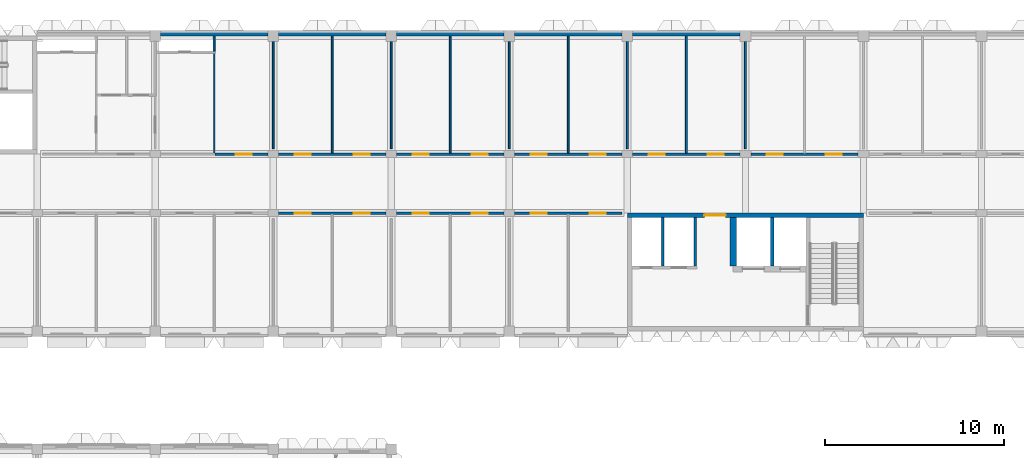
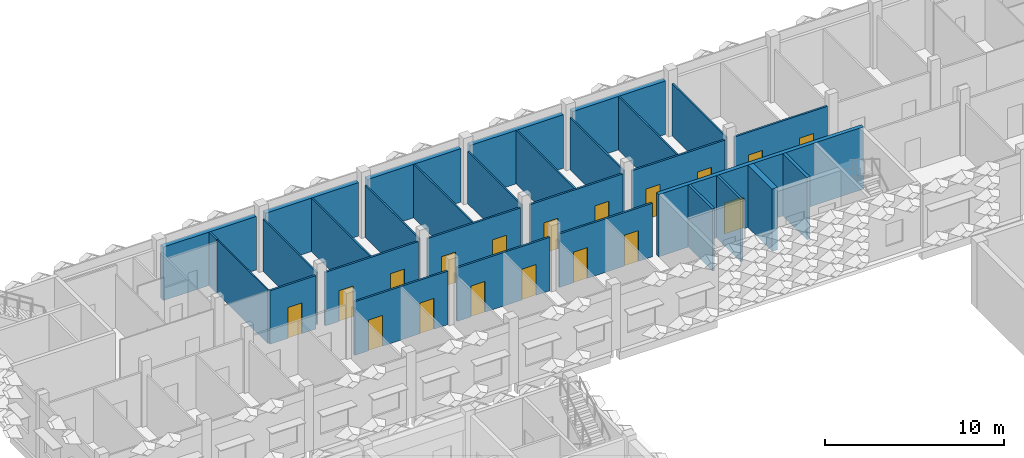
# One storey, part 37 of 87: 30 walls, 18 doors, 18 openings.
"""IFC4 building model written with IfcOpenShell, lengths in metres."""

from ifc_helpers import new_model, si_unit, direction, frame, frame_2d, origin, place, context, subcontext, project, spatial, rectangle, extrude, material, layer, layer_set, type_object, element, fill, save


model = new_model("IFC4")

# Units and contexts
model_context = context("Model", 3, precision=1e-05, world=origin(), true_north=direction((0.0, 1.0)))
body_context = subcontext(model_context, "Body", "Model", "MODEL_VIEW")
ifc_project = project(units=[si_unit("LENGTHUNIT", "METRE"), si_unit("AREAUNIT", "SQUARE_METRE"), si_unit("VOLUMEUNIT", "CUBIC_METRE"), si_unit("PLANEANGLEUNIT", "RADIAN"), si_unit("MASSUNIT", "GRAM", prefix="KILO")], contexts=[model_context])

# Site, building, storey
site_placement = place(None, origin())
site = spatial("IfcSite", under=ifc_project, at=site_placement, CompositionType="ELEMENT")
building_placement = place(site_placement, origin())
building = spatial("IfcBuilding", under=site, at=building_placement, Name="Lantern Court Research Institute", CompositionType="ELEMENT")
storey_placement = place(building_placement, frame((0.0, 0.0, 5.39990234375)))
storey = spatial("IfcBuildingStorey", under=building, at=storey_placement, Name="L01", CompositionType="ELEMENT", Elevation=5.39990234375)

# Walls
ifc_material_1 = material(Name="Gypsum board on metal studs")
ifc_layer_1 = layer(ifc_material_1, 0.10009765625)
ifc_layer_set_1 = layer_set([ifc_layer_1], Name="Gypsum board on metal studs")
wall_type_1 = type_object("IfcWallType", Name="Partition 100 mm", PredefinedType="PARTITIONING", material=ifc_layer_set_1)
wall_1_placement = place(storey_placement, frame((19.800048828125, 92.699951171875, 0.0), z_axis=(0.0, 0.0, 1.0), x_axis=(0.0, 1.0, 0.0)))
element("IfcWall", 1, at=wall_1_placement, inside=storey, type_object=wall_type_1, Name="Wall V6-L01-044", PredefinedType="PARTITIONING", context=body_context, shape_type="SweptSolid", body=[
    extrude(rectangle(XDim=6.0, YDim=0.10009765625, at=frame_2d((3.0, 0.0))), origin(), (0.0, 0.0, 1.0), 3.550048828125),
])
wall_2_placement = place(storey_placement, frame((23.10009765625, 92.462890625, 0.0), z_axis=(0.0, 0.0, 1.0), x_axis=(0.0, 1.0, 0.0)))
element("IfcWall", 2, at=wall_2_placement, inside=storey, type_object=wall_type_1, Name="Wall V6-L01-046", PredefinedType="PARTITIONING", context=body_context, shape_type="SweptSolid", body=[
    extrude(rectangle(XDim=6.537109375, YDim=0.10009765625, at=frame_2d((3.2685546875, 0.0))), origin(), (0.0, 0.0, 1.0), 3.650146484375),
])
wall_3_placement = place(storey_placement, frame((26.39990234375, 92.699951171875, 0.0), z_axis=(0.0, 0.0, 1.0), x_axis=(0.0, 1.0, 0.0)))
element("IfcWall", 3, at=wall_3_placement, inside=storey, type_object=wall_type_1, Name="Wall V6-L01-048", PredefinedType="PARTITIONING", context=body_context, shape_type="SweptSolid", body=[
    extrude(rectangle(XDim=6.0, YDim=0.10009765625, at=frame_2d((3.0, 0.0))), origin(), (0.0, 0.0, 1.0), 3.550048828125),
])
wall_4_placement = place(storey_placement, frame((29.699951171875, 92.462890625, 0.0), z_axis=(0.0, 0.0, 1.0), x_axis=(0.0, 1.0, 0.0)))
element("IfcWall", 4, at=wall_4_placement, inside=storey, type_object=wall_type_1, Name="Wall V6-L01-050", PredefinedType="PARTITIONING", context=body_context, shape_type="SweptSolid", body=[
    extrude(rectangle(XDim=6.537109375, YDim=0.10009765625, at=frame_2d((3.2685546875, 0.0))), origin(), (0.0, 0.0, 1.0), 3.650146484375),
])
wall_5_placement = place(storey_placement, frame((33.0, 92.699951171875, 0.0), z_axis=(0.0, 0.0, 1.0), x_axis=(0.0, 1.0, 0.0)))
element("IfcWall", 5, at=wall_5_placement, inside=storey, type_object=wall_type_1, Name="Wall V6-L01-052", PredefinedType="PARTITIONING", context=body_context, shape_type="SweptSolid", body=[
    extrude(rectangle(XDim=6.0, YDim=0.10009765625, at=frame_2d((3.0, 0.0))), origin(), (0.0, 0.0, 1.0), 3.550048828125),
])
wall_6_placement = place(storey_placement, frame((36.300048828125, 92.462890625, 0.0), z_axis=(0.0, 0.0, 1.0), x_axis=(0.0, 1.0, 0.0)))
element("IfcWall", 6, at=wall_6_placement, inside=storey, type_object=wall_type_1, Name="Wall V6-L01-054", PredefinedType="PARTITIONING", context=body_context, shape_type="SweptSolid", body=[
    extrude(rectangle(XDim=6.537109375, YDim=0.10009765625, at=frame_2d((3.2685546875, 0.0))), origin(), (0.0, 0.0, 1.0), 3.650146484375),
])
wall_7_placement = place(storey_placement, frame((39.60009765625, 92.699951171875, 0.0), z_axis=(0.0, 0.0, 1.0), x_axis=(0.0, 1.0, 0.0)))
element("IfcWall", 7, at=wall_7_placement, inside=storey, type_object=wall_type_1, Name="Wall V6-L01-055", PredefinedType="PARTITIONING", context=body_context, shape_type="SweptSolid", body=[
    extrude(rectangle(XDim=6.0, YDim=0.10009765625, at=frame_2d((3.0, 0.0))), origin(), (0.0, 0.0, 1.0), 3.550048828125),
])
wall_8_placement = place(storey_placement, frame((42.89990234375, 92.462890625, 0.0), z_axis=(0.0, 0.0, 1.0), x_axis=(0.0, 1.0, 0.0)))
element("IfcWall", 8, at=wall_8_placement, inside=storey, type_object=wall_type_1, Name="Wall V6-L01-056", PredefinedType="PARTITIONING", context=body_context, shape_type="SweptSolid", body=[
    extrude(rectangle(XDim=6.537109375, YDim=0.10009765625, at=frame_2d((3.2685546875, 0.0))), origin(), (0.0, 0.0, 1.0), 3.650146484375),
])
wall_9_placement = place(storey_placement, frame((46.199951171875, 92.699951171875, 0.0), z_axis=(0.0, 0.0, 1.0), x_axis=(0.0, 1.0, 0.0)))
element("IfcWall", 9, at=wall_9_placement, inside=storey, type_object=wall_type_1, Name="Wall V6-L01-057", PredefinedType="PARTITIONING", context=body_context, shape_type="SweptSolid", body=[
    extrude(rectangle(XDim=6.0, YDim=0.10009765625, at=frame_2d((3.0, 0.0))), origin(), (0.0, 0.0, 1.0), 3.550048828125),
])
ifc_material_2 = material(Name="Concrete C30/37", Category="concrete")
ifc_layer_2 = layer(ifc_material_2, 0.300048828125)
ifc_layer_set_2 = layer_set([ifc_layer_2], Name="Concrete C30/37")
wall_type_2 = type_object("IfcWallType", Name="Party wall 300 concrete EI 120", PredefinedType="STANDARD", material=ifc_layer_set_2)
for number, where, z_axis, x_axis, name in (
    (10, (13.5, 99.14990234375, 0.0), (0.0, 0.0, 1.0), (1.0, 0.0, 0.0), "Exterior wall EW110"),
    (11, (20.10009765625, 99.14990234375, 0.0), (0.0, 0.0, 1.0), (1.0, 0.0, 0.0), "Exterior wall EW111"),
    (12, (26.699951171875, 99.14990234375, 0.0), (0.0, 0.0, 1.0), (1.0, 0.0, 0.0), "Exterior wall EW112"),
    (13, (33.300048828125, 99.14990234375, 0.0), (0.0, 0.0, 1.0), (1.0, 0.0, 0.0), "Exterior wall EW113"),
    (14, (39.89990234375, 99.14990234375, 0.0), (0.0, 0.0, 1.0), (1.0, 0.0, 0.0), "Exterior wall EW114"),
):
    element("IfcWall", number, at=place(storey_placement, frame(where, z_axis=z_axis, x_axis=x_axis)), inside=storey, type_object=wall_type_2, Name=name, PredefinedType="STANDARD", context=body_context, shape_type="SweptSolid", body=[
        extrude(rectangle(XDim=6.0, YDim=0.300048828125, at=frame_2d((3.0, 0.0))), origin(), (0.0, 0.0, 1.0), 3.650146484375),
    ])

# Wall, openings, doors
ifc_material_3 = material(Name="Gypsum board on metal studs")
ifc_layer_3 = layer(ifc_material_3, 0.125)
ifc_layer_set_3 = layer_set([ifc_layer_3], Name="Gypsum board on metal studs")
wall_type_3 = type_object("IfcWallType", Name="Protected corridor partition 125 mm EI 30", PredefinedType="PARTITIONING", material=ifc_layer_set_3)
wall_10_placement = place(storey_placement, frame((26.10009765625, 89.10009765625, 0.0), z_axis=(0.0, 0.0, 1.0), x_axis=(-1.0, 0.0, 0.0)))
wall_10 = element("IfcWall", 15, at=wall_10_placement, inside=storey, type_object=wall_type_3, Name="Wall V6-L01-004", PredefinedType="PARTITIONING", context=body_context, shape_type="SweptSolid", body=[
    extrude(rectangle(XDim=6.0, YDim=0.125, at=frame_2d((3.0, 0.0))), origin(), (0.0, 0.0, 1.0), 3.650146484375),
])
opening_1_placement = place(wall_10_placement, frame((4.199951171875, 0.0, 0.0)))
opening_1 = element("IfcOpeningElement", 16, at=opening_1_placement, cuts=wall_10, Name="Opening D6107", PredefinedType="OPENING", context=body_context, shape_type="SweptSolid", body=[
    extrude(rectangle(XDim=0.89990234375, YDim=2.10009765625, at=frame_2d((0.449951171875, 1.050048828125))), frame((0.0, 0.072509765625, 0.0), z_axis=(0.0, -1.0, 0.0), x_axis=(1.0, 0.0, 0.0)), (0.0, 0.0, 1.0), 0.14501953125),
])
opening_2_placement = place(wall_10_placement, frame((0.89990234375, 0.0, 0.0)))
opening_2 = element("IfcOpeningElement", 17, at=opening_2_placement, cuts=wall_10, Name="Opening D6108", PredefinedType="OPENING", context=body_context, shape_type="SweptSolid", body=[
    extrude(rectangle(XDim=0.89990234375, YDim=2.10009765625, at=frame_2d((0.449951171875, 1.050048828125))), frame((0.0, 0.072509765625, 0.0), z_axis=(0.0, -1.0, 0.0), x_axis=(1.0, 0.0, 0.0)), (0.0, 0.0, 1.0), 0.14501953125),
])
ifc_material_4 = material(Name="Timber veneered door leaf", Category="wood")
door_type_1 = type_object("IfcDoorType", Name="Door 900 x 2100 timber FD30S", OperationType="NOTDEFINED", PredefinedType="DOOR", material=ifc_material_4)
door_1_placement = place(opening_1_placement, origin())
door_1 = element("IfcDoor", 18, at=door_1_placement, inside=storey, type_object=door_type_1, Name="Door D6107", OperationType="SINGLE_SWING_RIGHT", OverallHeight=2.10009765625, OverallWidth=0.89990234375, PredefinedType="DOOR", context=body_context, shape_type="SweptSolid", body=[
    extrude(rectangle(XDim=0.89990234375, YDim=2.10009765625, at=frame_2d((0.449951171875, 1.050048828125))), frame((0.0, 0.02490234375, 0.0), z_axis=(0.0, -1.0, 0.0), x_axis=(1.0, 0.0, 0.0)), (0.0, 0.0, 1.0), 0.050048828125),
])
fill(opening_1, door_1)
door_2_placement = place(opening_2_placement, origin())
door_2 = element("IfcDoor", 19, at=door_2_placement, inside=storey, type_object=door_type_1, Name="Door D6108", OperationType="SINGLE_SWING_RIGHT", OverallHeight=2.10009765625, OverallWidth=0.89990234375, PredefinedType="DOOR", context=body_context, shape_type="SweptSolid", body=[
    extrude(rectangle(XDim=0.89990234375, YDim=2.10009765625, at=frame_2d((0.449951171875, 1.050048828125))), frame((0.0, 0.02490234375, 0.0), z_axis=(0.0, -1.0, 0.0), x_axis=(1.0, 0.0, 0.0)), (0.0, 0.0, 1.0), 0.050048828125),
])
fill(opening_2, door_2)

wall_11_placement = place(storey_placement, frame((32.699951171875, 89.10009765625, 0.0), z_axis=(0.0, 0.0, 1.0), x_axis=(-1.0, 0.0, 0.0)))
wall_11 = element("IfcWall", 20, at=wall_11_placement, inside=storey, type_object=wall_type_3, Name="Wall V6-L01-005", PredefinedType="PARTITIONING", context=body_context, shape_type="SweptSolid", body=[
    extrude(rectangle(XDim=6.0, YDim=0.125, at=frame_2d((3.0, 0.0))), origin(), (0.0, 0.0, 1.0), 3.650146484375),
])
opening_3_placement = place(wall_11_placement, frame((4.199951171875, 0.0, 0.0)))
opening_3 = element("IfcOpeningElement", 21, at=opening_3_placement, cuts=wall_11, Name="Opening D6109", PredefinedType="OPENING", context=body_context, shape_type="SweptSolid", body=[
    extrude(rectangle(XDim=0.89990234375, YDim=2.10009765625, at=frame_2d((0.449951171875, 1.050048828125))), frame((0.0, 0.072509765625, 0.0), z_axis=(0.0, -1.0, 0.0), x_axis=(1.0, 0.0, 0.0)), (0.0, 0.0, 1.0), 0.14501953125),
])
opening_4_placement = place(wall_11_placement, frame((0.89990234375, 0.0, 0.0)))
opening_4 = element("IfcOpeningElement", 22, at=opening_4_placement, cuts=wall_11, Name="Opening D6110", PredefinedType="OPENING", context=body_context, shape_type="SweptSolid", body=[
    extrude(rectangle(XDim=0.89990234375, YDim=2.10009765625, at=frame_2d((0.449951171875, 1.050048828125))), frame((0.0, 0.072509765625, 0.0), z_axis=(0.0, -1.0, 0.0), x_axis=(1.0, 0.0, 0.0)), (0.0, 0.0, 1.0), 0.14501953125),
])
door_3_placement = place(opening_3_placement, origin())
door_3 = element("IfcDoor", 23, at=door_3_placement, inside=storey, type_object=door_type_1, Name="Door D6109", OperationType="SINGLE_SWING_LEFT", OverallHeight=2.10009765625, OverallWidth=0.89990234375, PredefinedType="DOOR", context=body_context, shape_type="SweptSolid", body=[
    extrude(rectangle(XDim=0.89990234375, YDim=2.10009765625, at=frame_2d((0.449951171875, 1.050048828125))), frame((0.0, 0.02490234375, 0.0), z_axis=(0.0, -1.0, 0.0), x_axis=(1.0, 0.0, 0.0)), (0.0, 0.0, 1.0), 0.050048828125),
])
fill(opening_3, door_3)
door_4_placement = place(opening_4_placement, origin())
door_4 = element("IfcDoor", 24, at=door_4_placement, inside=storey, type_object=door_type_1, Name="Door D6110", OperationType="SINGLE_SWING_LEFT", OverallHeight=2.10009765625, OverallWidth=0.89990234375, PredefinedType="DOOR", context=body_context, shape_type="SweptSolid", body=[
    extrude(rectangle(XDim=0.89990234375, YDim=2.10009765625, at=frame_2d((0.449951171875, 1.050048828125))), frame((0.0, 0.02490234375, 0.0), z_axis=(0.0, -1.0, 0.0), x_axis=(1.0, 0.0, 0.0)), (0.0, 0.0, 1.0), 0.050048828125),
])
fill(opening_4, door_4)

wall_12_placement = place(storey_placement, frame((39.300048828125, 89.10009765625, 0.0), z_axis=(0.0, 0.0, 1.0), x_axis=(-1.0, 0.0, 0.0)))
wall_12 = element("IfcWall", 25, at=wall_12_placement, inside=storey, type_object=wall_type_3, Name="Wall V6-L01-006", PredefinedType="PARTITIONING", context=body_context, shape_type="SweptSolid", body=[
    extrude(rectangle(XDim=6.0, YDim=0.125, at=frame_2d((3.0, 0.0))), origin(), (0.0, 0.0, 1.0), 3.650146484375),
])
opening_5_placement = place(wall_12_placement, frame((4.199951171875, 0.0, 0.0)))
opening_5 = element("IfcOpeningElement", 26, at=opening_5_placement, cuts=wall_12, Name="Opening D6111", PredefinedType="OPENING", context=body_context, shape_type="SweptSolid", body=[
    extrude(rectangle(XDim=0.89990234375, YDim=2.10009765625, at=frame_2d((0.449951171875, 1.050048828125))), frame((0.0, 0.072509765625, 0.0), z_axis=(0.0, -1.0, 0.0), x_axis=(1.0, 0.0, 0.0)), (0.0, 0.0, 1.0), 0.14501953125),
])
opening_6_placement = place(wall_12_placement, frame((0.89990234375, 0.0, 0.0)))
opening_6 = element("IfcOpeningElement", 27, at=opening_6_placement, cuts=wall_12, Name="Opening D6112", PredefinedType="OPENING", context=body_context, shape_type="SweptSolid", body=[
    extrude(rectangle(XDim=0.89990234375, YDim=2.10009765625, at=frame_2d((0.449951171875, 1.050048828125))), frame((0.0, 0.072509765625, 0.0), z_axis=(0.0, -1.0, 0.0), x_axis=(1.0, 0.0, 0.0)), (0.0, 0.0, 1.0), 0.14501953125),
])
door_5_placement = place(opening_5_placement, origin())
door_5 = element("IfcDoor", 28, at=door_5_placement, inside=storey, type_object=door_type_1, Name="Door D6111", OperationType="SINGLE_SWING_RIGHT", OverallHeight=2.10009765625, OverallWidth=0.89990234375, PredefinedType="DOOR", context=body_context, shape_type="SweptSolid", body=[
    extrude(rectangle(XDim=0.89990234375, YDim=2.10009765625, at=frame_2d((0.449951171875, 1.050048828125))), frame((0.0, 0.02490234375, 0.0), z_axis=(0.0, -1.0, 0.0), x_axis=(1.0, 0.0, 0.0)), (0.0, 0.0, 1.0), 0.050048828125),
])
fill(opening_5, door_5)
door_6_placement = place(opening_6_placement, origin())
door_6 = element("IfcDoor", 29, at=door_6_placement, inside=storey, type_object=door_type_1, Name="Door D6112", OperationType="SINGLE_SWING_LEFT", OverallHeight=2.10009765625, OverallWidth=0.89990234375, PredefinedType="DOOR", context=body_context, shape_type="SweptSolid", body=[
    extrude(rectangle(XDim=0.89990234375, YDim=2.10009765625, at=frame_2d((0.449951171875, 1.050048828125))), frame((0.0, 0.02490234375, 0.0), z_axis=(0.0, -1.0, 0.0), x_axis=(1.0, 0.0, 0.0)), (0.0, 0.0, 1.0), 0.050048828125),
])
fill(opening_6, door_6)

# Wall, opening, door
wall_13_placement = place(storey_placement, frame((16.5380859375, 92.39990234375, 0.0), z_axis=(0.0, 0.0, 1.0), x_axis=(1.0, 0.0, 0.0)))
wall_13 = element("IfcWall", 30, at=wall_13_placement, inside=storey, type_object=wall_type_3, Name="Wall V6-L01-013", PredefinedType="PARTITIONING", context=body_context, shape_type="SweptSolid", body=[
    extrude(rectangle(XDim=2.9619140625, YDim=0.125, at=frame_2d((1.48095703125, 0.0))), origin(), (0.0, 0.0, 1.0), 3.650146484375),
])
opening_7_placement = place(wall_13_placement, frame((1.162109375, 0.0, 0.0)))
opening_7 = element("IfcOpeningElement", 31, at=opening_7_placement, cuts=wall_13, Name="Opening D6119", PredefinedType="OPENING", context=body_context, shape_type="SweptSolid", body=[
    extrude(rectangle(XDim=0.89990234375, YDim=2.10009765625, at=frame_2d((0.449951171875, 1.050048828125))), frame((0.0, 0.072509765625, 0.0), z_axis=(0.0, -1.0, 0.0), x_axis=(1.0, 0.0, 0.0)), (0.0, 0.0, 1.0), 0.14501953125),
])
door_7_placement = place(opening_7_placement, origin())
door_7 = element("IfcDoor", 32, at=door_7_placement, inside=storey, type_object=door_type_1, Name="Door D6119", OperationType="SINGLE_SWING_LEFT", OverallHeight=2.10009765625, OverallWidth=0.89990234375, PredefinedType="DOOR", context=body_context, shape_type="SweptSolid", body=[
    extrude(rectangle(XDim=0.89990234375, YDim=2.10009765625, at=frame_2d((0.449951171875, 1.050048828125))), frame((0.0, 0.02490234375, 0.0), z_axis=(0.0, -1.0, 0.0), x_axis=(1.0, 0.0, 0.0)), (0.0, 0.0, 1.0), 0.050048828125),
])
fill(opening_7, door_7)

# Wall, openings, doors
wall_14_placement = place(storey_placement, frame((20.10009765625, 92.39990234375, 0.0), z_axis=(0.0, 0.0, 1.0), x_axis=(1.0, 0.0, 0.0)))
wall_14 = element("IfcWall", 33, at=wall_14_placement, inside=storey, type_object=wall_type_3, Name="Wall V6-L01-014", PredefinedType="PARTITIONING", context=body_context, shape_type="SweptSolid", body=[
    extrude(rectangle(XDim=6.0, YDim=0.125, at=frame_2d((3.0, 0.0))), origin(), (0.0, 0.0, 1.0), 3.650146484375),
])
opening_8_placement = place(wall_14_placement, frame((0.89990234375, 0.0, 0.0)))
opening_8 = element("IfcOpeningElement", 34, at=opening_8_placement, cuts=wall_14, Name="Opening D6120", PredefinedType="OPENING", context=body_context, shape_type="SweptSolid", body=[
    extrude(rectangle(XDim=0.89990234375, YDim=2.10009765625, at=frame_2d((0.449951171875, 1.050048828125))), frame((0.0, 0.072509765625, 0.0), z_axis=(0.0, -1.0, 0.0), x_axis=(1.0, 0.0, 0.0)), (0.0, 0.0, 1.0), 0.14501953125),
])
opening_9_placement = place(wall_14_placement, frame((4.199951171875, 0.0, 0.0)))
opening_9 = element("IfcOpeningElement", 35, at=opening_9_placement, cuts=wall_14, Name="Opening D6121", PredefinedType="OPENING", context=body_context, shape_type="SweptSolid", body=[
    extrude(rectangle(XDim=0.89990234375, YDim=2.10009765625, at=frame_2d((0.449951171875, 1.050048828125))), frame((0.0, 0.072509765625, 0.0), z_axis=(0.0, -1.0, 0.0), x_axis=(1.0, 0.0, 0.0)), (0.0, 0.0, 1.0), 0.14501953125),
])
door_8_placement = place(opening_8_placement, origin())
door_8 = element("IfcDoor", 36, at=door_8_placement, inside=storey, type_object=door_type_1, Name="Door D6120", OperationType="SINGLE_SWING_LEFT", OverallHeight=2.10009765625, OverallWidth=0.89990234375, PredefinedType="DOOR", context=body_context, shape_type="SweptSolid", body=[
    extrude(rectangle(XDim=0.89990234375, YDim=2.10009765625, at=frame_2d((0.449951171875, 1.050048828125))), frame((0.0, 0.02490234375, 0.0), z_axis=(0.0, -1.0, 0.0), x_axis=(1.0, 0.0, 0.0)), (0.0, 0.0, 1.0), 0.050048828125),
])
fill(opening_8, door_8)
door_9_placement = place(opening_9_placement, origin())
door_9 = element("IfcDoor", 37, at=door_9_placement, inside=storey, type_object=door_type_1, Name="Door D6121", OperationType="SINGLE_SWING_LEFT", OverallHeight=2.10009765625, OverallWidth=0.89990234375, PredefinedType="DOOR", context=body_context, shape_type="SweptSolid", body=[
    extrude(rectangle(XDim=0.89990234375, YDim=2.10009765625, at=frame_2d((0.449951171875, 1.050048828125))), frame((0.0, 0.02490234375, 0.0), z_axis=(0.0, -1.0, 0.0), x_axis=(1.0, 0.0, 0.0)), (0.0, 0.0, 1.0), 0.050048828125),
])
fill(opening_9, door_9)

wall_15_placement = place(storey_placement, frame((26.699951171875, 92.39990234375, 0.0), z_axis=(0.0, 0.0, 1.0), x_axis=(1.0, 0.0, 0.0)))
wall_15 = element("IfcWall", 38, at=wall_15_placement, inside=storey, type_object=wall_type_3, Name="Wall V6-L01-015", PredefinedType="PARTITIONING", context=body_context, shape_type="SweptSolid", body=[
    extrude(rectangle(XDim=6.0, YDim=0.125, at=frame_2d((3.0, 0.0))), origin(), (0.0, 0.0, 1.0), 3.650146484375),
])
opening_10_placement = place(wall_15_placement, frame((0.89990234375, 0.0, 0.0)))
opening_10 = element("IfcOpeningElement", 39, at=opening_10_placement, cuts=wall_15, Name="Opening D6122", PredefinedType="OPENING", context=body_context, shape_type="SweptSolid", body=[
    extrude(rectangle(XDim=0.89990234375, YDim=2.10009765625, at=frame_2d((0.449951171875, 1.050048828125))), frame((0.0, 0.072509765625, 0.0), z_axis=(0.0, -1.0, 0.0), x_axis=(1.0, 0.0, 0.0)), (0.0, 0.0, 1.0), 0.14501953125),
])
opening_11_placement = place(wall_15_placement, frame((4.199951171875, 0.0, 0.0)))
opening_11 = element("IfcOpeningElement", 40, at=opening_11_placement, cuts=wall_15, Name="Opening D6123", PredefinedType="OPENING", context=body_context, shape_type="SweptSolid", body=[
    extrude(rectangle(XDim=0.89990234375, YDim=2.10009765625, at=frame_2d((0.449951171875, 1.050048828125))), frame((0.0, 0.072509765625, 0.0), z_axis=(0.0, -1.0, 0.0), x_axis=(1.0, 0.0, 0.0)), (0.0, 0.0, 1.0), 0.14501953125),
])
door_10_placement = place(opening_10_placement, origin())
door_10 = element("IfcDoor", 41, at=door_10_placement, inside=storey, type_object=door_type_1, Name="Door D6122", OperationType="SINGLE_SWING_RIGHT", OverallHeight=2.10009765625, OverallWidth=0.89990234375, PredefinedType="DOOR", context=body_context, shape_type="SweptSolid", body=[
    extrude(rectangle(XDim=0.89990234375, YDim=2.10009765625, at=frame_2d((0.449951171875, 1.050048828125))), frame((0.0, 0.02490234375, 0.0), z_axis=(0.0, -1.0, 0.0), x_axis=(1.0, 0.0, 0.0)), (0.0, 0.0, 1.0), 0.050048828125),
])
fill(opening_10, door_10)
door_11_placement = place(opening_11_placement, origin())
door_11 = element("IfcDoor", 42, at=door_11_placement, inside=storey, type_object=door_type_1, Name="Door D6123", OperationType="SINGLE_SWING_RIGHT", OverallHeight=2.10009765625, OverallWidth=0.89990234375, PredefinedType="DOOR", context=body_context, shape_type="SweptSolid", body=[
    extrude(rectangle(XDim=0.89990234375, YDim=2.10009765625, at=frame_2d((0.449951171875, 1.050048828125))), frame((0.0, 0.02490234375, 0.0), z_axis=(0.0, -1.0, 0.0), x_axis=(1.0, 0.0, 0.0)), (0.0, 0.0, 1.0), 0.050048828125),
])
fill(opening_11, door_11)

wall_16_placement = place(storey_placement, frame((33.300048828125, 92.39990234375, 0.0), z_axis=(0.0, 0.0, 1.0), x_axis=(1.0, 0.0, 0.0)))
wall_16 = element("IfcWall", 43, at=wall_16_placement, inside=storey, type_object=wall_type_3, Name="Wall V6-L01-016", PredefinedType="PARTITIONING", context=body_context, shape_type="SweptSolid", body=[
    extrude(rectangle(XDim=6.0, YDim=0.125, at=frame_2d((3.0, 0.0))), origin(), (0.0, 0.0, 1.0), 3.650146484375),
])
opening_12_placement = place(wall_16_placement, frame((0.89990234375, 0.0, 0.0)))
opening_12 = element("IfcOpeningElement", 44, at=opening_12_placement, cuts=wall_16, Name="Opening D6124", PredefinedType="OPENING", context=body_context, shape_type="SweptSolid", body=[
    extrude(rectangle(XDim=0.89990234375, YDim=2.10009765625, at=frame_2d((0.449951171875, 1.050048828125))), frame((0.0, 0.072509765625, 0.0), z_axis=(0.0, -1.0, 0.0), x_axis=(1.0, 0.0, 0.0)), (0.0, 0.0, 1.0), 0.14501953125),
])
opening_13_placement = place(wall_16_placement, frame((4.199951171875, 0.0, 0.0)))
opening_13 = element("IfcOpeningElement", 45, at=opening_13_placement, cuts=wall_16, Name="Opening D6125", PredefinedType="OPENING", context=body_context, shape_type="SweptSolid", body=[
    extrude(rectangle(XDim=0.89990234375, YDim=2.10009765625, at=frame_2d((0.449951171875, 1.050048828125))), frame((0.0, 0.072509765625, 0.0), z_axis=(0.0, -1.0, 0.0), x_axis=(1.0, 0.0, 0.0)), (0.0, 0.0, 1.0), 0.14501953125),
])
door_12_placement = place(opening_12_placement, origin())
door_12 = element("IfcDoor", 46, at=door_12_placement, inside=storey, type_object=door_type_1, Name="Door D6124", OperationType="SINGLE_SWING_LEFT", OverallHeight=2.10009765625, OverallWidth=0.89990234375, PredefinedType="DOOR", context=body_context, shape_type="SweptSolid", body=[
    extrude(rectangle(XDim=0.89990234375, YDim=2.10009765625, at=frame_2d((0.449951171875, 1.050048828125))), frame((0.0, 0.02490234375, 0.0), z_axis=(0.0, -1.0, 0.0), x_axis=(1.0, 0.0, 0.0)), (0.0, 0.0, 1.0), 0.050048828125),
])
fill(opening_12, door_12)
door_13_placement = place(opening_13_placement, origin())
door_13 = element("IfcDoor", 47, at=door_13_placement, inside=storey, type_object=door_type_1, Name="Door D6125", OperationType="SINGLE_SWING_RIGHT", OverallHeight=2.10009765625, OverallWidth=0.89990234375, PredefinedType="DOOR", context=body_context, shape_type="SweptSolid", body=[
    extrude(rectangle(XDim=0.89990234375, YDim=2.10009765625, at=frame_2d((0.449951171875, 1.050048828125))), frame((0.0, 0.02490234375, 0.0), z_axis=(0.0, -1.0, 0.0), x_axis=(1.0, 0.0, 0.0)), (0.0, 0.0, 1.0), 0.050048828125),
])
fill(opening_13, door_13)

wall_17_placement = place(storey_placement, frame((39.89990234375, 92.39990234375, 0.0), z_axis=(0.0, 0.0, 1.0), x_axis=(1.0, 0.0, 0.0)))
wall_17 = element("IfcWall", 48, at=wall_17_placement, inside=storey, type_object=wall_type_3, Name="Wall V6-L01-017", PredefinedType="PARTITIONING", context=body_context, shape_type="SweptSolid", body=[
    extrude(rectangle(XDim=6.0, YDim=0.125, at=frame_2d((3.0, 0.0))), origin(), (0.0, 0.0, 1.0), 3.650146484375),
])
opening_14_placement = place(wall_17_placement, frame((0.89990234375, 0.0, 0.0)))
opening_14 = element("IfcOpeningElement", 49, at=opening_14_placement, cuts=wall_17, Name="Opening D6126", PredefinedType="OPENING", context=body_context, shape_type="SweptSolid", body=[
    extrude(rectangle(XDim=0.89990234375, YDim=2.10009765625, at=frame_2d((0.449951171875, 1.050048828125))), frame((0.0, 0.072509765625, 0.0), z_axis=(0.0, -1.0, 0.0), x_axis=(1.0, 0.0, 0.0)), (0.0, 0.0, 1.0), 0.14501953125),
])
opening_15_placement = place(wall_17_placement, frame((4.199951171875, 0.0, 0.0)))
opening_15 = element("IfcOpeningElement", 50, at=opening_15_placement, cuts=wall_17, Name="Opening D6127", PredefinedType="OPENING", context=body_context, shape_type="SweptSolid", body=[
    extrude(rectangle(XDim=0.89990234375, YDim=2.10009765625, at=frame_2d((0.449951171875, 1.050048828125))), frame((0.0, 0.072509765625, 0.0), z_axis=(0.0, -1.0, 0.0), x_axis=(1.0, 0.0, 0.0)), (0.0, 0.0, 1.0), 0.14501953125),
])
door_14_placement = place(opening_14_placement, origin())
door_14 = element("IfcDoor", 51, at=door_14_placement, inside=storey, type_object=door_type_1, Name="Door D6126", OperationType="SINGLE_SWING_LEFT", OverallHeight=2.10009765625, OverallWidth=0.89990234375, PredefinedType="DOOR", context=body_context, shape_type="SweptSolid", body=[
    extrude(rectangle(XDim=0.89990234375, YDim=2.10009765625, at=frame_2d((0.449951171875, 1.050048828125))), frame((0.0, 0.02490234375, 0.0), z_axis=(0.0, -1.0, 0.0), x_axis=(1.0, 0.0, 0.0)), (0.0, 0.0, 1.0), 0.050048828125),
])
fill(opening_14, door_14)
door_15_placement = place(opening_15_placement, origin())
door_15 = element("IfcDoor", 52, at=door_15_placement, inside=storey, type_object=door_type_1, Name="Door D6127", OperationType="SINGLE_SWING_LEFT", OverallHeight=2.10009765625, OverallWidth=0.89990234375, PredefinedType="DOOR", context=body_context, shape_type="SweptSolid", body=[
    extrude(rectangle(XDim=0.89990234375, YDim=2.10009765625, at=frame_2d((0.449951171875, 1.050048828125))), frame((0.0, 0.02490234375, 0.0), z_axis=(0.0, -1.0, 0.0), x_axis=(1.0, 0.0, 0.0)), (0.0, 0.0, 1.0), 0.050048828125),
])
fill(opening_15, door_15)

wall_18_placement = place(storey_placement, frame((46.5, 92.39990234375, 0.0), z_axis=(0.0, 0.0, 1.0), x_axis=(1.0, 0.0, 0.0)))
wall_18 = element("IfcWall", 53, at=wall_18_placement, inside=storey, type_object=wall_type_3, Name="Wall V6-L01-018", PredefinedType="PARTITIONING", context=body_context, shape_type="SweptSolid", body=[
    extrude(rectangle(XDim=6.0, YDim=0.125, at=frame_2d((3.0, 0.0))), origin(), (0.0, 0.0, 1.0), 3.650146484375),
])
opening_16_placement = place(wall_18_placement, frame((0.89990234375, 0.0, 0.0)))
opening_16 = element("IfcOpeningElement", 54, at=opening_16_placement, cuts=wall_18, Name="Opening D6128", PredefinedType="OPENING", context=body_context, shape_type="SweptSolid", body=[
    extrude(rectangle(XDim=0.89990234375, YDim=2.10009765625, at=frame_2d((0.449951171875, 1.050048828125))), frame((0.0, 0.072509765625, 0.0), z_axis=(0.0, -1.0, 0.0), x_axis=(1.0, 0.0, 0.0)), (0.0, 0.0, 1.0), 0.14501953125),
])
opening_17_placement = place(wall_18_placement, frame((4.199951171875, 0.0, 0.0)))
opening_17 = element("IfcOpeningElement", 55, at=opening_17_placement, cuts=wall_18, Name="Opening D6129", PredefinedType="OPENING", context=body_context, shape_type="SweptSolid", body=[
    extrude(rectangle(XDim=0.89990234375, YDim=2.10009765625, at=frame_2d((0.449951171875, 1.050048828125))), frame((0.0, 0.072509765625, 0.0), z_axis=(0.0, -1.0, 0.0), x_axis=(1.0, 0.0, 0.0)), (0.0, 0.0, 1.0), 0.14501953125),
])
door_16_placement = place(opening_16_placement, origin())
door_16 = element("IfcDoor", 56, at=door_16_placement, inside=storey, type_object=door_type_1, Name="Door D6128", OperationType="SINGLE_SWING_LEFT", OverallHeight=2.10009765625, OverallWidth=0.89990234375, PredefinedType="DOOR", context=body_context, shape_type="SweptSolid", body=[
    extrude(rectangle(XDim=0.89990234375, YDim=2.10009765625, at=frame_2d((0.449951171875, 1.050048828125))), frame((0.0, 0.02490234375, 0.0), z_axis=(0.0, -1.0, 0.0), x_axis=(1.0, 0.0, 0.0)), (0.0, 0.0, 1.0), 0.050048828125),
])
fill(opening_16, door_16)
door_17_placement = place(opening_17_placement, origin())
door_17 = element("IfcDoor", 57, at=door_17_placement, inside=storey, type_object=door_type_1, Name="Door D6129", OperationType="SINGLE_SWING_LEFT", OverallHeight=2.10009765625, OverallWidth=0.89990234375, PredefinedType="DOOR", context=body_context, shape_type="SweptSolid", body=[
    extrude(rectangle(XDim=0.89990234375, YDim=2.10009765625, at=frame_2d((0.449951171875, 1.050048828125))), frame((0.0, 0.02490234375, 0.0), z_axis=(0.0, -1.0, 0.0), x_axis=(1.0, 0.0, 0.0)), (0.0, 0.0, 1.0), 0.050048828125),
])
fill(opening_17, door_17)

# Wall, opening, door
ifc_material_5 = material(Name="Concrete C40/50", Category="concrete")
ifc_layer_4 = layer(ifc_material_5, 0.25)
ifc_layer_set_4 = layer_set([ifc_layer_4], Name="Concrete C40/50")
wall_type_4 = type_object("IfcWallType", Name="RC core wall 250", PredefinedType="SHEAR", material=ifc_layer_set_4)
wall_19_placement = place(storey_placement, frame((52.800048828125, 88.97509765625, 0.0), z_axis=(0.0, 0.0, 1.0), x_axis=(-1.0, 0.0, 0.0)))
wall_19 = element("IfcWall", 58, at=wall_19_placement, inside=storey, type_object=wall_type_4, Name="North wall of core WC-M", PredefinedType="SHEAR", context=body_context, shape_type="SweptSolid", body=[
    extrude(rectangle(XDim=13.199951171875, YDim=0.25, at=frame_2d((6.60009765625, 0.0))), origin(), (0.0, 0.0, 1.0), 4.25),
])
opening_18_placement = place(wall_19_placement, frame((7.699951171875, 0.0, 0.0)))
opening_18 = element("IfcOpeningElement", 59, at=opening_18_placement, cuts=wall_19, Name="Opening D7230", PredefinedType="OPENING", context=body_context, shape_type="SweptSolid", body=[
    extrude(rectangle(XDim=1.199951171875, YDim=2.10009765625, at=frame_2d((0.60009765625, 1.050048828125))), frame((0.0, 0.135009765625, 0.0), z_axis=(0.0, -1.0, 0.0), x_axis=(1.0, 0.0, 0.0)), (0.0, 0.0, 1.0), 0.27001953125),
])
ifc_material_6 = material(Name="Steel fire door leaf with smoke seals", Category="steel")
door_type_2 = type_object("IfcDoorType", Name="Door 1200 x 2100 fire rated FD60S", OperationType="NOTDEFINED", PredefinedType="DOOR", material=ifc_material_6)
door_18_placement = place(opening_18_placement, origin())
door_18 = element("IfcDoor", 60, at=door_18_placement, inside=storey, type_object=door_type_2, Name="Lobby door", OperationType="SINGLE_SWING_RIGHT", OverallHeight=2.10009765625, OverallWidth=1.199951171875, PredefinedType="DOOR", context=body_context, shape_type="SweptSolid", body=[
    extrude(rectangle(XDim=1.199951171875, YDim=2.10009765625, at=frame_2d((0.60009765625, 1.050048828125))), frame((0.0, 0.02490234375, 0.0), z_axis=(0.0, -1.0, 0.0), x_axis=(1.0, 0.0, 0.0)), (0.0, 0.0, 1.0), 0.050048828125),
])
fill(opening_18, door_18)

# Walls
ifc_material_7 = material(Name="Concrete C40/50", Category="concrete")
ifc_layer_5 = layer(ifc_material_7, 0.14990234375)
ifc_layer_set_5 = layer_set([ifc_layer_5], Name="Concrete C40/50")
wall_type_5 = type_object("IfcWallType", Name="RC shaft wall 150", PredefinedType="SHEAR", material=ifc_layer_set_5)
for number, where, z_axis, x_axis, name in (
    (61, (43.39990234375, 88.85009765625, 0.0), (0.0, 0.0, 1.0), (0.0, -1.0, 0.0), "Riser wall of core WC-M"),
    (62, (41.574951171875, 88.85009765625, 0.0), (0.0, 0.0, 1.0), (0.0, -1.0, 0.0), "Riser wall of core WC-M"),
):
    element("IfcWall", number, at=place(storey_placement, frame(where, z_axis=z_axis, x_axis=x_axis)), inside=storey, type_object=wall_type_5, Name=name, PredefinedType="SHEAR", context=body_context, shape_type="SweptSolid", body=[
        extrude(rectangle(XDim=2.7001953125, YDim=0.14990234375, at=frame_2d((1.35009765625, 0.0))), origin(), (0.0, 0.0, 1.0), 4.25),
    ])
ifc_material_8 = material(Name="Concrete C40/50", Category="concrete")
ifc_layer_6 = layer(ifc_material_8, 0.199951171875)
ifc_layer_set_6 = layer_set([ifc_layer_6], Name="Concrete C40/50")
wall_type_6 = type_object("IfcWallType", Name="RC shaft wall 200", PredefinedType="SHEAR", material=ifc_layer_set_6)
wall_20_placement = place(storey_placement, frame((47.699951171875, 88.85009765625, 0.0), z_axis=(0.0, 0.0, 1.0), x_axis=(0.0, -1.0, 0.0)))
element("IfcWall", 63, at=wall_20_placement, inside=storey, type_object=wall_type_6, Name="Lift shaft wall of core WC-M", PredefinedType="SHEAR", context=body_context, shape_type="SweptSolid", body=[
    extrude(rectangle(XDim=2.7001953125, YDim=0.199951171875, at=frame_2d((1.35009765625, 0.0))), origin(), (0.0, 0.0, 1.0), 4.25),
])
ifc_material_9 = material(Name="Concrete C40/50", Category="concrete")
ifc_layer_7 = layer(ifc_material_9, 0.35009765625)
ifc_layer_set_7 = layer_set([ifc_layer_7], Name="Concrete C40/50")
wall_type_7 = type_object("IfcWallType", Name="RC shaft wall 350", PredefinedType="SHEAR", material=ifc_layer_set_7)
wall_21_placement = place(storey_placement, frame((45.52490234375, 88.85009765625, 0.0), z_axis=(0.0, 0.0, 1.0), x_axis=(0.0, -1.0, 0.0)))
element("IfcWall", 64, at=wall_21_placement, inside=storey, type_object=wall_type_7, Name="Lift shaft wall of core WC-M", PredefinedType="SHEAR", context=body_context, shape_type="SweptSolid", body=[
    extrude(rectangle(XDim=2.7001953125, YDim=0.35009765625, at=frame_2d((1.35009765625, 0.0))), origin(), (0.0, 0.0, 1.0), 4.25),
])
ifc_material_10 = material(Name="Fire-rated gypsum board on metal studs")
ifc_layer_8 = layer(ifc_material_10, 0.110107421875)
ifc_layer_set_8 = layer_set([ifc_layer_8], Name="Fire-rated gypsum board on metal studs")
wall_type_8 = type_object("IfcWallType", Name="Riser wall 110 mm EI 60", PredefinedType="PARTITIONING", material=ifc_layer_set_8)
wall_22_placement = place(storey_placement, frame((16.5, 98.155029296875, 0.0), z_axis=(0.0, 0.0, 1.0), x_axis=(0.0, 1.0, 0.0)))
element("IfcWall", 65, at=wall_22_placement, inside=storey, type_object=wall_type_8, Name="Wall V6-L01-042", PredefinedType="PARTITIONING", context=body_context, shape_type="SweptSolid", body=[
    extrude(rectangle(XDim=0.844970703125, YDim=0.110107421875, at=frame_2d((0.42236328125, 0.0))), origin(), (0.0, 0.0, 1.0), 3.650146484375),
])
ifc_material_11 = material(Name="Gypsum board on metal studs")
ifc_layer_9 = layer(ifc_material_11, 0.074951171875)
ifc_layer_set_9 = layer_set([ifc_layer_9], Name="Gypsum board on metal studs")
wall_type_9 = type_object("IfcWallType", Name="Service partition 75 mm", PredefinedType="PARTITIONING", material=ifc_layer_set_9)
wall_23_placement = place(storey_placement, frame((16.5, 92.462890625, 0.0), z_axis=(0.0, 0.0, 1.0), x_axis=(0.0, 1.0, 0.0)))
element("IfcWall", 66, at=wall_23_placement, inside=storey, type_object=wall_type_9, Name="Wall V6-L01-041", PredefinedType="PARTITIONING", context=body_context, shape_type="SweptSolid", body=[
    extrude(rectangle(XDim=5.58203125, YDim=0.074951171875, at=frame_2d((2.791015625, 0.0))), origin(), (0.0, 0.0, 1.0), 3.650146484375),
])

save(model, "model.ifc")
